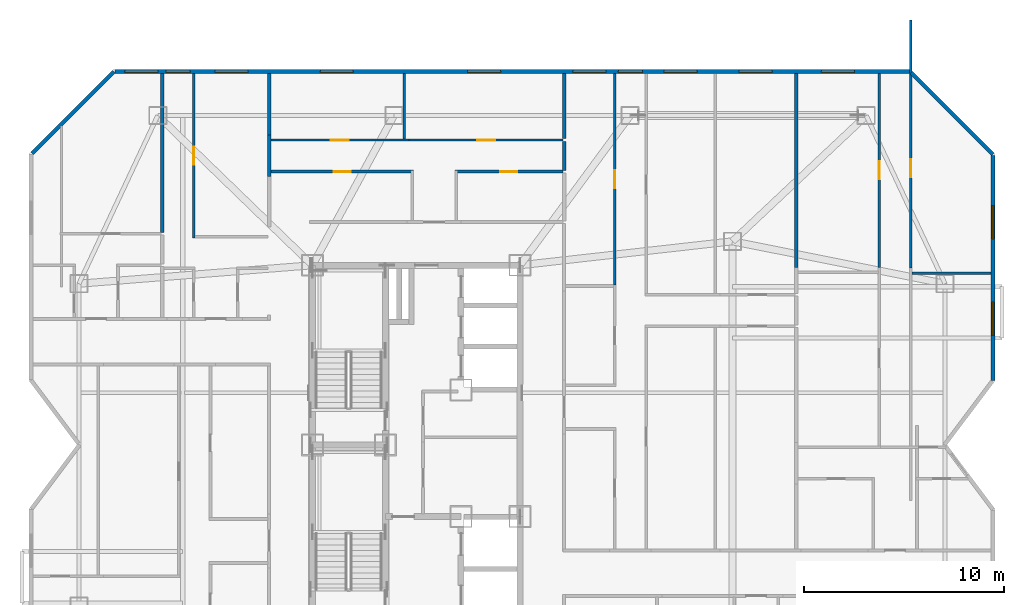
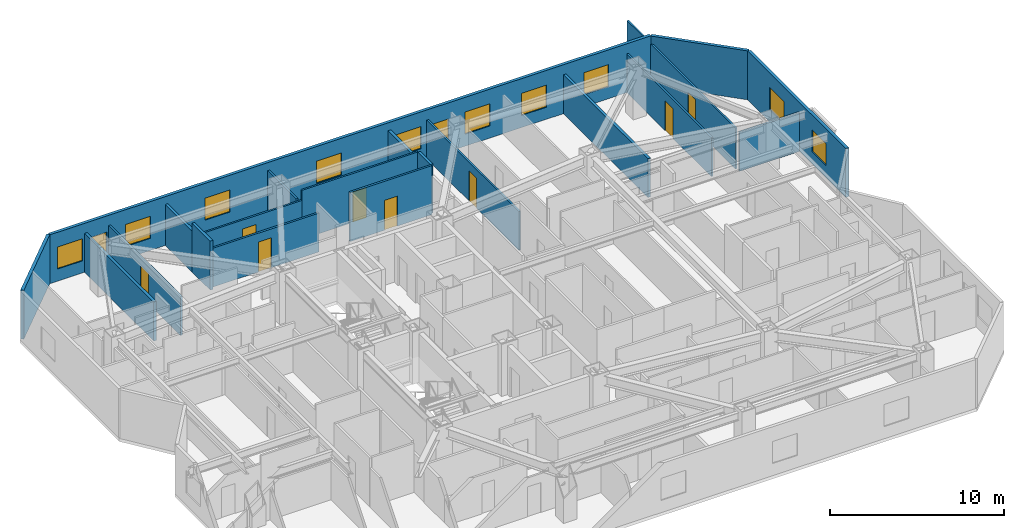
# One storey, part 10 of 12: 20 walls, 12 windows, 8 doors, 20 openings.
"""IFC4 building model written with IfcOpenShell, lengths in metres."""

from ifc_helpers import new_model, si_unit, direction, frame, frame_2d, origin, place, context, subcontext, project, spatial, rectangle, extrude, material, layer, layer_set, type_object, element, fill, save


model = new_model("IFC4")

# Units and contexts
model_context = context("Model", 3, precision=1e-05, world=origin(), true_north=direction((0.0, 1.0)))
body_context = subcontext(model_context, "Body", "Model", "MODEL_VIEW")
ifc_project = project(units=[si_unit("LENGTHUNIT", "METRE"), si_unit("AREAUNIT", "SQUARE_METRE"), si_unit("VOLUMEUNIT", "CUBIC_METRE"), si_unit("PLANEANGLEUNIT", "RADIAN"), si_unit("MASSUNIT", "GRAM", prefix="KILO")], contexts=[model_context])

# Site, building, storey
site_placement = place(None, origin())
site = spatial("IfcSite", under=ifc_project, at=site_placement, CompositionType="ELEMENT")
building_placement = place(site_placement, origin())
building = spatial("IfcBuilding", under=site, at=building_placement, Name="Khamvora Tower", CompositionType="ELEMENT")
storey_placement = place(building_placement, frame((0.0, 0.0, 177.800048828125)))
storey = spatial("IfcBuildingStorey", under=building, at=storey_placement, Name="L45", CompositionType="ELEMENT", Elevation=177.800048828125)

# Walls
ifc_material_1 = material(Name="Acoustic Double-Stud Fire Wall", Category="gypsum")
ifc_layer_1 = layer(ifc_material_1, 0.179931640625)
ifc_layer_set_1 = layer_set([ifc_layer_1], Name="Acoustic Double-Stud Fire Wall")
wall_type_1 = type_object("IfcWallType", Name="WAL-CORR-180", PredefinedType="STANDARD", material=ifc_layer_set_1)
wall_1_placement = place(storey_placement, frame((21.47509765625, 46.60791015625, 0.0), z_axis=(0.0, 0.0, 1.0), x_axis=(0.0, -1.0, 0.0)))
element("IfcWall", 1, at=wall_1_placement, inside=storey, type_object=wall_type_1, Name="L45 interior partition wall 069", PredefinedType="STANDARD", context=body_context, shape_type="SweptSolid", body=[
    extrude(rectangle(XDim=7.9619140625, YDim=0.179931640625, at=frame_2d((3.98095703125, 0.0))), origin(), (0.0, 0.0, 1.0), 2.724853515625),
])
wall_2_placement = place(storey_placement, frame((26.8349609375, 43.52392578125, 0.0), z_axis=(0.0, 0.0, 1.0), x_axis=(0.0, -1.0, 0.0)))
element("IfcWall", 2, at=wall_2_placement, inside=storey, type_object=wall_type_1, Name="L45 interior partition wall 076", PredefinedType="STANDARD", context=body_context, shape_type="SweptSolid", body=[
    extrude(rectangle(XDim=2.077880859375, YDim=0.179931640625, at=frame_2d((1.0390625, 0.0))), origin(), (0.0, 0.0, 1.0), 3.429931640625),
])
wall_3_placement = place(storey_placement, frame((26.8349609375, 46.60791015625, 0.0), z_axis=(0.0, 0.0, 1.0), x_axis=(0.0, -1.0, 0.0)))
element("IfcWall", 3, at=wall_3_placement, inside=storey, type_object=wall_type_1, Name="L45 interior partition wall 078", PredefinedType="STANDARD", context=body_context, shape_type="SweptSolid", body=[
    extrude(rectangle(XDim=3.083984375, YDim=0.179931640625, at=frame_2d((1.5419921875, 0.0))), origin(), (0.0, 0.0, 1.0), 2.8759765625),
])
wall_4_placement = place(storey_placement, frame((41.614990234375, 43.2099609375, 0.0), z_axis=(0.0, 0.0, 1.0), x_axis=(0.0, -1.0, 0.0)))
element("IfcWall", 4, at=wall_4_placement, inside=storey, type_object=wall_type_1, Name="L45 interior partition wall 096", PredefinedType="STANDARD", context=body_context, shape_type="SweptSolid", body=[
    extrude(rectangle(XDim=1.449951171875, YDim=0.179931640625, at=frame_2d((0.72509765625, 0.0))), origin(), (0.0, 0.0, 1.0), 3.429931640625),
])
wall_5_placement = place(storey_placement, frame((41.614990234375, 46.60791015625, 0.0), z_axis=(0.0, 0.0, 1.0), x_axis=(0.0, -1.0, 0.0)))
element("IfcWall", 5, at=wall_5_placement, inside=storey, type_object=wall_type_1, Name="L45 interior partition wall 099", PredefinedType="STANDARD", context=body_context, shape_type="SweptSolid", body=[
    extrude(rectangle(XDim=3.267822265625, YDim=0.179931640625, at=frame_2d((1.6337890625, 0.0))), origin(), (0.0, 0.0, 1.0), 2.8759765625),
])
wall_6_placement = place(storey_placement, frame((53.240966796875, 46.60791015625, 0.0), z_axis=(0.0, 0.0, 1.0), x_axis=(0.0, -1.0, 0.0)))
element("IfcWall", 6, at=wall_6_placement, inside=storey, type_object=wall_type_1, Name="L45 interior partition wall 132", PredefinedType="STANDARD", context=body_context, shape_type="SweptSolid", body=[
    extrude(rectangle(XDim=9.708984375, YDim=0.179931640625, at=frame_2d((4.8544921875, 0.0))), origin(), (0.0, 0.0, 1.0), 2.724853515625),
])
ifc_material_2 = material(Name="Precast concrete C40/50", Category="concrete")
ifc_layer_2 = layer(ifc_material_2, 0.199951171875)
ifc_layer_set_2 = layer_set([ifc_layer_2], Name="Precast concrete C40/50")
wall_type_2 = type_object("IfcWallType", Name="WAL-EXT-200", PredefinedType="STANDARD", material=ifc_layer_set_2)
wall_7_placement = place(storey_placement, frame((14.945068359375, 42.60400390625, 0.0), z_axis=(0.0, 0.0, 1.0), x_axis=(0.707106781187, 0.707106781187, 0.0)))
element("IfcWall", 7, at=wall_7_placement, inside=storey, type_object=wall_type_2, Name="L45 exterior facade wall 06.1", PredefinedType="STANDARD", context=body_context, shape_type="SweptSolid", body=[
    extrude(rectangle(XDim=5.79248046875, YDim=0.199951171875, at=frame_2d((2.896240234375, 0.0))), origin(), (0.0, 0.0, 1.0), 3.429931640625),
])

# Wall, openings, windows
wall_8_placement = place(storey_placement, frame((19.10205078125, 46.699951171875, 0.0), z_axis=(0.0, 0.0, 1.0), x_axis=(1.0, 0.0, 0.0)))
wall_8 = element("IfcWall", 8, at=wall_8_placement, inside=storey, type_object=wall_type_2, Name="L45 exterior facade wall 07.1", PredefinedType="STANDARD", context=body_context, shape_type="SweptSolid", body=[
    extrude(rectangle(XDim=39.85693359375, YDim=0.199951171875, at=frame_2d((19.928466796875, 0.0))), origin(), (0.0, 0.0, 1.0), 3.429931640625),
])
opening_1_placement = place(wall_8_placement, frame((0.50390625, 0.0, 0.85009765625)))
opening_1 = element("IfcOpeningElement", 9, at=opening_1_placement, cuts=wall_8, Name="Opening WN-06", PredefinedType="OPENING", context=body_context, shape_type="SweptSolid", body=[
    extrude(rectangle(XDim=1.64990234375, YDim=1.550048828125, at=frame_2d((0.824951171875, 0.77490234375))), frame((0.0, 0.10986328125, 0.0), z_axis=(0.0, -1.0, 0.0), x_axis=(1.0, 0.0, 0.0)), (0.0, 0.0, 1.0), 0.219970703125),
])
opening_2_placement = place(wall_8_placement, frame((2.56298828125, 0.0, 0.800048828125)))
opening_2 = element("IfcOpeningElement", 10, at=opening_2_placement, cuts=wall_8, Name="Opening WN-03", PredefinedType="OPENING", context=body_context, shape_type="SweptSolid", body=[
    extrude(rectangle(XDim=1.199951171875, YDim=1.5, at=frame_2d((0.60009765625, 0.75))), frame((0.0, 0.10986328125, 0.0), z_axis=(0.0, -1.0, 0.0), x_axis=(1.0, 0.0, 0.0)), (0.0, 0.0, 1.0), 0.219970703125),
])
opening_3_placement = place(wall_8_placement, frame((5.01806640625, 0.0, 0.85009765625)))
opening_3 = element("IfcOpeningElement", 11, at=opening_3_placement, cuts=wall_8, Name="Opening WN-06", PredefinedType="OPENING", context=body_context, shape_type="SweptSolid", body=[
    extrude(rectangle(XDim=1.64990234375, YDim=1.550048828125, at=frame_2d((0.824951171875, 0.77490234375))), frame((0.0, 0.10986328125, 0.0), z_axis=(0.0, -1.0, 0.0), x_axis=(1.0, 0.0, 0.0)), (0.0, 0.0, 1.0), 0.219970703125),
])
opening_4_placement = place(wall_8_placement, frame((10.2900390625, 0.0, 0.85009765625)))
opening_4 = element("IfcOpeningElement", 12, at=opening_4_placement, cuts=wall_8, Name="Opening WN-06", PredefinedType="OPENING", context=body_context, shape_type="SweptSolid", body=[
    extrude(rectangle(XDim=1.64990234375, YDim=1.550048828125, at=frame_2d((0.824951171875, 0.77490234375))), frame((0.0, 0.10986328125, 0.0), z_axis=(0.0, -1.0, 0.0), x_axis=(1.0, 0.0, 0.0)), (0.0, 0.0, 1.0), 0.219970703125),
])
opening_5_placement = place(wall_8_placement, frame((17.679931640625, 0.0, 0.85009765625)))
opening_5 = element("IfcOpeningElement", 13, at=opening_5_placement, cuts=wall_8, Name="Opening WN-06", PredefinedType="OPENING", context=body_context, shape_type="SweptSolid", body=[
    extrude(rectangle(XDim=1.64990234375, YDim=1.550048828125, at=frame_2d((0.824951171875, 0.77490234375))), frame((0.0, 0.10986328125, 0.0), z_axis=(0.0, -1.0, 0.0), x_axis=(1.0, 0.0, 0.0)), (0.0, 0.0, 1.0), 0.219970703125),
])
opening_6_placement = place(wall_8_placement, frame((22.952880859375, 0.0, 0.85009765625)))
opening_6 = element("IfcOpeningElement", 14, at=opening_6_placement, cuts=wall_8, Name="Opening WN-06", PredefinedType="OPENING", context=body_context, shape_type="SweptSolid", body=[
    extrude(rectangle(XDim=1.64990234375, YDim=1.550048828125, at=frame_2d((0.824951171875, 0.77490234375))), frame((0.0, 0.10986328125, 0.0), z_axis=(0.0, -1.0, 0.0), x_axis=(1.0, 0.0, 0.0)), (0.0, 0.0, 1.0), 0.219970703125),
])
opening_7_placement = place(wall_8_placement, frame((25.23291015625, 0.0, 0.800048828125)))
opening_7 = element("IfcOpeningElement", 15, at=opening_7_placement, cuts=wall_8, Name="Opening WN-03", PredefinedType="OPENING", context=body_context, shape_type="SweptSolid", body=[
    extrude(rectangle(XDim=1.199951171875, YDim=1.5, at=frame_2d((0.60009765625, 0.75))), frame((0.0, 0.10986328125, 0.0), z_axis=(0.0, -1.0, 0.0), x_axis=(1.0, 0.0, 0.0)), (0.0, 0.0, 1.0), 0.219970703125),
])
opening_8_placement = place(wall_8_placement, frame((27.52392578125, 0.0, 0.85009765625)))
opening_8 = element("IfcOpeningElement", 16, at=opening_8_placement, cuts=wall_8, Name="Opening WN-06", PredefinedType="OPENING", context=body_context, shape_type="SweptSolid", body=[
    extrude(rectangle(XDim=1.64990234375, YDim=1.550048828125, at=frame_2d((0.824951171875, 0.77490234375))), frame((0.0, 0.10986328125, 0.0), z_axis=(0.0, -1.0, 0.0), x_axis=(1.0, 0.0, 0.0)), (0.0, 0.0, 1.0), 0.219970703125),
])
opening_9_placement = place(wall_8_placement, frame((31.282958984375, 0.0, 0.85009765625)))
opening_9 = element("IfcOpeningElement", 17, at=opening_9_placement, cuts=wall_8, Name="Opening WN-06", PredefinedType="OPENING", context=body_context, shape_type="SweptSolid", body=[
    extrude(rectangle(XDim=1.64990234375, YDim=1.550048828125, at=frame_2d((0.824951171875, 0.77490234375))), frame((0.0, 0.10986328125, 0.0), z_axis=(0.0, -1.0, 0.0), x_axis=(1.0, 0.0, 0.0)), (0.0, 0.0, 1.0), 0.219970703125),
])
opening_10_placement = place(wall_8_placement, frame((35.39990234375, 0.0, 0.85009765625)))
opening_10 = element("IfcOpeningElement", 18, at=opening_10_placement, cuts=wall_8, Name="Opening WN-06", PredefinedType="OPENING", context=body_context, shape_type="SweptSolid", body=[
    extrude(rectangle(XDim=1.64990234375, YDim=1.550048828125, at=frame_2d((0.824951171875, 0.77490234375))), frame((0.0, 0.10986328125, 0.0), z_axis=(0.0, -1.0, 0.0), x_axis=(1.0, 0.0, 0.0)), (0.0, 0.0, 1.0), 0.219970703125),
])
ifc_material_3 = material(Name="Low-E Laminated Double Glazing", Category="glass")
window_type_1 = type_object("IfcWindowType", Name="WIN-VIS-1200x1500", PartitioningType="SINGLE_PANEL", PredefinedType="WINDOW", material=ifc_material_3)
window_1_placement = place(opening_2_placement, origin())
window_1 = element("IfcWindow", 19, at=window_1_placement, inside=storey, type_object=window_type_1, Name="L45 vision window 07.1.02", OverallHeight=1.5, OverallWidth=1.199951171875, PartitioningType="SINGLE_PANEL", PredefinedType="WINDOW", context=body_context, shape_type="SweptSolid", body=[
    extrude(rectangle(XDim=1.199951171875, YDim=1.5, at=frame_2d((0.60009765625, 0.75))), frame((0.0, 0.030029296875, 0.0), z_axis=(0.0, -1.0, 0.0), x_axis=(1.0, 0.0, 0.0)), (0.0, 0.0, 1.0), 0.06005859375),
])
fill(opening_2, window_1)
window_2_placement = place(opening_7_placement, origin())
window_2 = element("IfcWindow", 20, at=window_2_placement, inside=storey, type_object=window_type_1, Name="L45 vision window 07.1.07", OverallHeight=1.5, OverallWidth=1.199951171875, PartitioningType="SINGLE_PANEL", PredefinedType="WINDOW", context=body_context, shape_type="SweptSolid", body=[
    extrude(rectangle(XDim=1.199951171875, YDim=1.5, at=frame_2d((0.60009765625, 0.75))), frame((0.0, 0.030029296875, 0.0), z_axis=(0.0, -1.0, 0.0), x_axis=(1.0, 0.0, 0.0)), (0.0, 0.0, 1.0), 0.06005859375),
])
fill(opening_7, window_2)
window_type_2 = type_object("IfcWindowType", Name="WIN-VIS-1650x1550", PartitioningType="SINGLE_PANEL", PredefinedType="WINDOW", material=ifc_material_3)
window_3_placement = place(opening_1_placement, origin())
window_3 = element("IfcWindow", 21, at=window_3_placement, inside=storey, type_object=window_type_2, Name="L45 vision window 07.1.01", OverallHeight=1.550048828125, OverallWidth=1.64990234375, PartitioningType="SINGLE_PANEL", PredefinedType="WINDOW", context=body_context, shape_type="SweptSolid", body=[
    extrude(rectangle(XDim=1.64990234375, YDim=1.550048828125, at=frame_2d((0.824951171875, 0.77490234375))), frame((0.0, 0.030029296875, 0.0), z_axis=(0.0, -1.0, 0.0), x_axis=(1.0, 0.0, 0.0)), (0.0, 0.0, 1.0), 0.06005859375),
])
fill(opening_1, window_3)
window_4_placement = place(opening_3_placement, origin())
window_4 = element("IfcWindow", 22, at=window_4_placement, inside=storey, type_object=window_type_2, Name="L45 vision window 07.1.03", OverallHeight=1.550048828125, OverallWidth=1.64990234375, PartitioningType="SINGLE_PANEL", PredefinedType="WINDOW", context=body_context, shape_type="SweptSolid", body=[
    extrude(rectangle(XDim=1.64990234375, YDim=1.550048828125, at=frame_2d((0.824951171875, 0.77490234375))), frame((0.0, 0.030029296875, 0.0), z_axis=(0.0, -1.0, 0.0), x_axis=(1.0, 0.0, 0.0)), (0.0, 0.0, 1.0), 0.06005859375),
])
fill(opening_3, window_4)
window_5_placement = place(opening_4_placement, origin())
window_5 = element("IfcWindow", 23, at=window_5_placement, inside=storey, type_object=window_type_2, Name="L45 vision window 07.1.04", OverallHeight=1.550048828125, OverallWidth=1.64990234375, PartitioningType="SINGLE_PANEL", PredefinedType="WINDOW", context=body_context, shape_type="SweptSolid", body=[
    extrude(rectangle(XDim=1.64990234375, YDim=1.550048828125, at=frame_2d((0.824951171875, 0.77490234375))), frame((0.0, 0.030029296875, 0.0), z_axis=(0.0, -1.0, 0.0), x_axis=(1.0, 0.0, 0.0)), (0.0, 0.0, 1.0), 0.06005859375),
])
fill(opening_4, window_5)
window_6_placement = place(opening_5_placement, origin())
window_6 = element("IfcWindow", 24, at=window_6_placement, inside=storey, type_object=window_type_2, Name="L45 vision window 07.1.05", OverallHeight=1.550048828125, OverallWidth=1.64990234375, PartitioningType="SINGLE_PANEL", PredefinedType="WINDOW", context=body_context, shape_type="SweptSolid", body=[
    extrude(rectangle(XDim=1.64990234375, YDim=1.550048828125, at=frame_2d((0.824951171875, 0.77490234375))), frame((0.0, 0.030029296875, 0.0), z_axis=(0.0, -1.0, 0.0), x_axis=(1.0, 0.0, 0.0)), (0.0, 0.0, 1.0), 0.06005859375),
])
fill(opening_5, window_6)
window_7_placement = place(opening_6_placement, origin())
window_7 = element("IfcWindow", 25, at=window_7_placement, inside=storey, type_object=window_type_2, Name="L45 vision window 07.1.06", OverallHeight=1.550048828125, OverallWidth=1.64990234375, PartitioningType="SINGLE_PANEL", PredefinedType="WINDOW", context=body_context, shape_type="SweptSolid", body=[
    extrude(rectangle(XDim=1.64990234375, YDim=1.550048828125, at=frame_2d((0.824951171875, 0.77490234375))), frame((0.0, 0.030029296875, 0.0), z_axis=(0.0, -1.0, 0.0), x_axis=(1.0, 0.0, 0.0)), (0.0, 0.0, 1.0), 0.06005859375),
])
fill(opening_6, window_7)
window_8_placement = place(opening_8_placement, origin())
window_8 = element("IfcWindow", 26, at=window_8_placement, inside=storey, type_object=window_type_2, Name="L45 vision window 07.1.08", OverallHeight=1.550048828125, OverallWidth=1.64990234375, PartitioningType="SINGLE_PANEL", PredefinedType="WINDOW", context=body_context, shape_type="SweptSolid", body=[
    extrude(rectangle(XDim=1.64990234375, YDim=1.550048828125, at=frame_2d((0.824951171875, 0.77490234375))), frame((0.0, 0.030029296875, 0.0), z_axis=(0.0, -1.0, 0.0), x_axis=(1.0, 0.0, 0.0)), (0.0, 0.0, 1.0), 0.06005859375),
])
fill(opening_8, window_8)
window_9_placement = place(opening_9_placement, origin())
window_9 = element("IfcWindow", 27, at=window_9_placement, inside=storey, type_object=window_type_2, Name="L45 vision window 07.1.09", OverallHeight=1.550048828125, OverallWidth=1.64990234375, PartitioningType="SINGLE_PANEL", PredefinedType="WINDOW", context=body_context, shape_type="SweptSolid", body=[
    extrude(rectangle(XDim=1.64990234375, YDim=1.550048828125, at=frame_2d((0.824951171875, 0.77490234375))), frame((0.0, 0.030029296875, 0.0), z_axis=(0.0, -1.0, 0.0), x_axis=(1.0, 0.0, 0.0)), (0.0, 0.0, 1.0), 0.06005859375),
])
fill(opening_9, window_9)
window_10_placement = place(opening_10_placement, origin())
window_10 = element("IfcWindow", 28, at=window_10_placement, inside=storey, type_object=window_type_2, Name="L45 vision window 07.1.10", OverallHeight=1.550048828125, OverallWidth=1.64990234375, PartitioningType="SINGLE_PANEL", PredefinedType="WINDOW", context=body_context, shape_type="SweptSolid", body=[
    extrude(rectangle(XDim=1.64990234375, YDim=1.550048828125, at=frame_2d((0.824951171875, 0.77490234375))), frame((0.0, 0.030029296875, 0.0), z_axis=(0.0, -1.0, 0.0), x_axis=(1.0, 0.0, 0.0)), (0.0, 0.0, 1.0), 0.06005859375),
])
fill(opening_10, window_10)

# Wall
wall_9_placement = place(storey_placement, frame((59.0029296875, 46.656005859375, 0.0), z_axis=(0.0, 0.0, 1.0), x_axis=(0.707127848917, -0.707085712828, 0.0)))
element("IfcWall", 29, at=wall_9_placement, inside=storey, type_object=wall_type_2, Name="L45 exterior facade wall 08.1", PredefinedType="STANDARD", context=body_context, shape_type="SweptSolid", body=[
    extrude(rectangle(XDim=5.794189453125, YDim=0.199951171875, at=frame_2d((2.89697265625, 0.0))), origin(), (0.0, 0.0, 1.0), 3.429931640625),
])

# Wall, openings, windows
wall_10_placement = place(storey_placement, frame((63.10009765625, 42.49609375, 0.0), z_axis=(0.0, 0.0, 1.0), x_axis=(0.0, -1.0, 0.0)))
wall_10 = element("IfcWall", 30, at=wall_10_placement, inside=storey, type_object=wall_type_2, Name="L45 exterior facade wall 09.1", PredefinedType="STANDARD", context=body_context, shape_type="SweptSolid", body=[
    extrude(rectangle(XDim=11.26318359375, YDim=0.199951171875, at=frame_2d((5.631591796875, 0.0))), origin(), (0.0, 0.0, 1.0), 3.429931640625),
])
opening_11_placement = place(wall_10_placement, frame((7.35888671875, 0.0, 0.85009765625)))
opening_11 = element("IfcOpeningElement", 31, at=opening_11_placement, cuts=wall_10, Name="Opening WN-06", PredefinedType="OPENING", context=body_context, shape_type="SweptSolid", body=[
    extrude(rectangle(XDim=1.64990234375, YDim=1.550048828125, at=frame_2d((0.824951171875, 0.77490234375))), frame((0.0, 0.10986328125, 0.0), z_axis=(0.0, -1.0, 0.0), x_axis=(1.0, 0.0, 0.0)), (0.0, 0.0, 1.0), 0.219970703125),
])
opening_12_placement = place(wall_10_placement, frame((2.511962890625, 0.0, 0.85009765625)))
opening_12 = element("IfcOpeningElement", 32, at=opening_12_placement, cuts=wall_10, Name="Opening WN-06", PredefinedType="OPENING", context=body_context, shape_type="SweptSolid", body=[
    extrude(rectangle(XDim=1.64990234375, YDim=1.550048828125, at=frame_2d((0.824951171875, 0.77490234375))), frame((0.0, 0.10986328125, 0.0), z_axis=(0.0, -1.0, 0.0), x_axis=(1.0, 0.0, 0.0)), (0.0, 0.0, 1.0), 0.219970703125),
])
window_11_placement = place(opening_11_placement, origin())
window_11 = element("IfcWindow", 33, at=window_11_placement, inside=storey, type_object=window_type_2, Name="L45 vision window 09.1.01", OverallHeight=1.550048828125, OverallWidth=1.64990234375, PartitioningType="SINGLE_PANEL", PredefinedType="WINDOW", context=body_context, shape_type="SweptSolid", body=[
    extrude(rectangle(XDim=1.64990234375, YDim=1.550048828125, at=frame_2d((0.824951171875, 0.77490234375))), frame((0.0, 0.030029296875, 0.0), z_axis=(0.0, -1.0, 0.0), x_axis=(1.0, 0.0, 0.0)), (0.0, 0.0, 1.0), 0.06005859375),
])
fill(opening_11, window_11)
window_12_placement = place(opening_12_placement, origin())
window_12 = element("IfcWindow", 34, at=window_12_placement, inside=storey, type_object=window_type_2, Name="L45 vision window 09.1.02", OverallHeight=1.550048828125, OverallWidth=1.64990234375, PartitioningType="SINGLE_PANEL", PredefinedType="WINDOW", context=body_context, shape_type="SweptSolid", body=[
    extrude(rectangle(XDim=1.64990234375, YDim=1.550048828125, at=frame_2d((0.824951171875, 0.77490234375))), frame((0.0, 0.030029296875, 0.0), z_axis=(0.0, -1.0, 0.0), x_axis=(1.0, 0.0, 0.0)), (0.0, 0.0, 1.0), 0.06005859375),
])
fill(opening_12, window_12)

# Wall, opening, door
ifc_material_4 = material(Name="Gypsum Plasterboard Partition", Category="gypsum")
ifc_layer_3 = layer(ifc_material_4, 0.1201171875)
ifc_layer_set_3 = layer_set([ifc_layer_3], Name="Gypsum Plasterboard Partition")
wall_type_3 = type_object("IfcWallType", Name="WAL-PART-120", PredefinedType="PARTITIONING", material=ifc_layer_set_3)
wall_11_placement = place(storey_placement, frame((23.054931640625, 46.60791015625, 0.0), z_axis=(0.0, 0.0, 1.0), x_axis=(0.0, -1.0, 0.0)))
wall_11 = element("IfcWall", 35, at=wall_11_placement, inside=storey, type_object=wall_type_3, Name="L45 interior partition wall 074", PredefinedType="PARTITIONING", context=body_context, shape_type="SweptSolid", body=[
    extrude(rectangle(XDim=8.247802734375, YDim=0.1201171875, at=frame_2d((4.1240234375, 0.0))), origin(), (0.0, 0.0, 1.0), 2.724853515625),
])
opening_13_placement = place(wall_11_placement, frame((3.674072265625, 0.0, 0.0)))
opening_13 = element("IfcOpeningElement", 36, at=opening_13_placement, cuts=wall_11, Name="Opening D-RM1", PredefinedType="OPENING", context=body_context, shape_type="SweptSolid", body=[
    extrude(rectangle(XDim=0.89990234375, YDim=2.10009765625, at=frame_2d((0.449951171875, 1.050048828125))), frame((0.0, 0.070068359375, 0.0), z_axis=(0.0, -1.0, 0.0), x_axis=(1.0, 0.0, 0.0)), (0.0, 0.0, 1.0), 0.14013671875),
])
ifc_material_5 = material(Name="Powder-Coated Steel and Hardwood Leaf", Category="steel")
door_type_1 = type_object("IfcDoorType", Name="DOR-ROOM-900", OperationType="NOTDEFINED", PredefinedType="DOOR", material=ifc_material_5)
door_1_placement = place(opening_13_placement, origin())
door_1 = element("IfcDoor", 37, at=door_1_placement, inside=storey, type_object=door_type_1, Name="L45 interior door 45WCH-45WCR1", OperationType="SINGLE_SWING_RIGHT", OverallHeight=2.10009765625, OverallWidth=0.89990234375, PredefinedType="DOOR", context=body_context, shape_type="SweptSolid", body=[
    extrude(rectangle(XDim=0.89990234375, YDim=2.10009765625, at=frame_2d((0.449951171875, 1.050048828125))), frame((0.0, 0.02490234375, 0.0), z_axis=(0.0, -1.0, 0.0), x_axis=(1.0, 0.0, 0.0)), (0.0, 0.0, 1.0), 0.050048828125),
])
fill(opening_13, door_1)

wall_12_placement = place(storey_placement, frame((26.9169921875, 43.27490234375, 0.0), z_axis=(0.0, 0.0, 1.0), x_axis=(1.0, 0.0, 0.0)))
wall_12 = element("IfcWall", 38, at=wall_12_placement, inside=storey, type_object=wall_type_3, Name="L45 interior partition wall 094", PredefinedType="PARTITIONING", context=body_context, shape_type="SweptSolid", body=[
    extrude(rectangle(XDim=6.930908203125, YDim=0.1201171875, at=frame_2d((3.46533203125, 0.0))), origin(), (0.0, 0.0, 1.0), 2.724853515625),
])
opening_14_placement = place(wall_12_placement, frame((2.993896484375, 0.0, 0.0)))
opening_14 = element("IfcOpeningElement", 39, at=opening_14_placement, cuts=wall_12, Name="Opening D-RM1", PredefinedType="OPENING", context=body_context, shape_type="SweptSolid", body=[
    extrude(rectangle(XDim=0.89990234375, YDim=2.10009765625, at=frame_2d((0.449951171875, 1.050048828125))), frame((0.0, 0.070068359375, 0.0), z_axis=(0.0, -1.0, 0.0), x_axis=(1.0, 0.0, 0.0)), (0.0, 0.0, 1.0), 0.14013671875),
])
door_2_placement = place(opening_14_placement, origin())
door_2 = element("IfcDoor", 40, at=door_2_placement, inside=storey, type_object=door_type_1, Name="L45 interior door 45NAH-45NAL", OperationType="SINGLE_SWING_LEFT", OverallHeight=2.10009765625, OverallWidth=0.89990234375, PredefinedType="DOOR", context=body_context, shape_type="SweptSolid", body=[
    extrude(rectangle(XDim=0.89990234375, YDim=2.10009765625, at=frame_2d((0.449951171875, 1.050048828125))), frame((0.0, 0.02490234375, 0.0), z_axis=(0.0, -1.0, 0.0), x_axis=(1.0, 0.0, 0.0)), (0.0, 0.0, 1.0), 0.050048828125),
])
fill(opening_14, door_2)

wall_13_placement = place(storey_placement, frame((33.847900390625, 43.27490234375, 0.0), z_axis=(0.0, 0.0, 1.0), x_axis=(1.0, 0.0, 0.0)))
wall_13 = element("IfcWall", 41, at=wall_13_placement, inside=storey, type_object=wall_type_3, Name="L45 interior partition wall 095", PredefinedType="PARTITIONING", context=body_context, shape_type="SweptSolid", body=[
    extrude(rectangle(XDim=7.7021484375, YDim=0.1201171875, at=frame_2d((3.85107421875, 0.0))), origin(), (0.0, 0.0, 1.0), 3.429931640625),
])
opening_15_placement = place(wall_13_placement, frame((3.40087890625, 0.0, 0.0)))
opening_15 = element("IfcOpeningElement", 42, at=opening_15_placement, cuts=wall_13, Name="Opening D-RM1", PredefinedType="OPENING", context=body_context, shape_type="SweptSolid", body=[
    extrude(rectangle(XDim=0.89990234375, YDim=2.10009765625, at=frame_2d((0.449951171875, 1.050048828125))), frame((0.0, 0.070068359375, 0.0), z_axis=(0.0, -1.0, 0.0), x_axis=(1.0, 0.0, 0.0)), (0.0, 0.0, 1.0), 0.14013671875),
])
door_3_placement = place(opening_15_placement, origin())
door_3 = element("IfcDoor", 43, at=door_3_placement, inside=storey, type_object=door_type_1, Name="L45 interior door 45NAH-45NAR2", OperationType="SINGLE_SWING_RIGHT", OverallHeight=2.10009765625, OverallWidth=0.89990234375, PredefinedType="DOOR", context=body_context, shape_type="SweptSolid", body=[
    extrude(rectangle(XDim=0.89990234375, YDim=2.10009765625, at=frame_2d((0.449951171875, 1.050048828125))), frame((0.0, 0.02490234375, 0.0), z_axis=(0.0, -1.0, 0.0), x_axis=(1.0, 0.0, 0.0)), (0.0, 0.0, 1.0), 0.050048828125),
])
fill(opening_15, door_3)

# Wall
wall_14_placement = place(storey_placement, frame((33.59912109375, 46.60791015625, 0.0), z_axis=(0.0, 0.0, 1.0), x_axis=(0.0, -1.0, 0.0)))
element("IfcWall", 44, at=wall_14_placement, inside=storey, type_object=wall_type_3, Name="L45 interior partition wall 098", PredefinedType="PARTITIONING", context=body_context, shape_type="SweptSolid", body=[
    extrude(rectangle(XDim=3.27880859375, YDim=0.1201171875, at=frame_2d((1.639404296875, 0.0))), origin(), (0.0, 0.0, 1.0), 2.8759765625),
])

# Wall, opening, door
wall_15_placement = place(storey_placement, frame((44.14501953125, 46.60791015625, 0.0), z_axis=(0.0, 0.0, 1.0), x_axis=(0.0, -1.0, 0.0)))
wall_15 = element("IfcWall", 45, at=wall_15_placement, inside=storey, type_object=wall_type_3, Name="L45 interior partition wall 113", PredefinedType="PARTITIONING", context=body_context, shape_type="SweptSolid", body=[
    extrude(rectangle(XDim=10.5869140625, YDim=0.1201171875, at=frame_2d((5.29345703125, 0.0))), origin(), (0.0, 0.0, 1.0), 2.724853515625),
])
opening_16_placement = place(wall_15_placement, frame((4.843017578125, 0.0, 0.0)))
opening_16 = element("IfcOpeningElement", 46, at=opening_16_placement, cuts=wall_15, Name="Opening D-RM1", PredefinedType="OPENING", context=body_context, shape_type="SweptSolid", body=[
    extrude(rectangle(XDim=0.89990234375, YDim=2.10009765625, at=frame_2d((0.449951171875, 1.050048828125))), frame((0.0, 0.070068359375, 0.0), z_axis=(0.0, -1.0, 0.0), x_axis=(1.0, 0.0, 0.0)), (0.0, 0.0, 1.0), 0.14013671875),
])
door_4_placement = place(opening_16_placement, origin())
door_4 = element("IfcDoor", 47, at=door_4_placement, inside=storey, type_object=door_type_1, Name="L45 interior door 45EB1W2-45EB1H", OperationType="SINGLE_SWING_LEFT", OverallHeight=2.10009765625, OverallWidth=0.89990234375, PredefinedType="DOOR", context=body_context, shape_type="SweptSolid", body=[
    extrude(rectangle(XDim=0.89990234375, YDim=2.10009765625, at=frame_2d((0.449951171875, 1.050048828125))), frame((0.0, 0.02490234375, 0.0), z_axis=(0.0, -1.0, 0.0), x_axis=(1.0, 0.0, 0.0)), (0.0, 0.0, 1.0), 0.050048828125),
])
fill(opening_16, door_4)

wall_16_placement = place(storey_placement, frame((57.4130859375, 36.89892578125, 0.0), z_axis=(0.0, 0.0, 1.0), x_axis=(0.0, 1.0, 0.0)))
wall_16 = element("IfcWall", 48, at=wall_16_placement, inside=storey, type_object=wall_type_3, Name="L45 interior partition wall 139", PredefinedType="PARTITIONING", context=body_context, shape_type="SweptSolid", body=[
    extrude(rectangle(XDim=9.708984375, YDim=0.1201171875, at=frame_2d((4.8544921875, 0.0))), origin(), (0.0, 0.0, 1.0), 2.724853515625),
])
opening_17_placement = place(wall_16_placement, frame((4.404052734375, 0.0, 0.0)))
opening_17 = element("IfcOpeningElement", 49, at=opening_17_placement, cuts=wall_16, Name="Opening D-RM1", PredefinedType="OPENING", context=body_context, shape_type="SweptSolid", body=[
    extrude(rectangle(XDim=0.89990234375, YDim=2.10009765625, at=frame_2d((0.449951171875, 1.050048828125))), frame((0.0, 0.070068359375, 0.0), z_axis=(0.0, -1.0, 0.0), x_axis=(1.0, 0.0, 0.0)), (0.0, 0.0, 1.0), 0.14013671875),
])
door_5_placement = place(opening_17_placement, origin())
door_5 = element("IfcDoor", 50, at=door_5_placement, inside=storey, type_object=door_type_1, Name="L45 interior door 45EB2H-45EB2R2", OperationType="SINGLE_SWING_LEFT", OverallHeight=2.10009765625, OverallWidth=0.89990234375, PredefinedType="DOOR", context=body_context, shape_type="SweptSolid", body=[
    extrude(rectangle(XDim=0.89990234375, YDim=2.10009765625, at=frame_2d((0.449951171875, 1.050048828125))), frame((0.0, 0.02490234375, 0.0), z_axis=(0.0, -1.0, 0.0), x_axis=(1.0, 0.0, 0.0)), (0.0, 0.0, 1.0), 0.050048828125),
])
fill(opening_17, door_5)

wall_17_placement = place(storey_placement, frame((58.98291015625, 49.2900390625, 0.0), z_axis=(0.0, 0.0, 1.0), x_axis=(0.0, -1.0, 0.0)))
wall_17 = element("IfcWall", 51, at=wall_17_placement, inside=storey, type_object=wall_type_3, Name="L45 interior partition wall 142", PredefinedType="PARTITIONING", context=body_context, shape_type="SweptSolid", body=[
    extrude(rectangle(XDim=12.43505859375, YDim=0.1201171875, at=frame_2d((6.217529296875, 0.0))), origin(), (0.0, 0.0, 1.0), 2.8759765625),
])
opening_18_placement = place(wall_17_placement, frame((6.97900390625, 0.0, 0.0)))
opening_18 = element("IfcOpeningElement", 52, at=opening_18_placement, cuts=wall_17, Name="Opening D-RM1", PredefinedType="OPENING", context=body_context, shape_type="SweptSolid", body=[
    extrude(rectangle(XDim=0.89990234375, YDim=2.10009765625, at=frame_2d((0.449951171875, 1.050048828125))), frame((0.0, 0.070068359375, 0.0), z_axis=(0.0, -1.0, 0.0), x_axis=(1.0, 0.0, 0.0)), (0.0, 0.0, 1.0), 0.14013671875),
])
door_6_placement = place(opening_18_placement, origin())
door_6 = element("IfcDoor", 53, at=door_6_placement, inside=storey, type_object=door_type_1, Name="L45 interior door 45EB2H-45EB2R4", OperationType="SINGLE_SWING_LEFT", OverallHeight=2.10009765625, OverallWidth=0.89990234375, PredefinedType="DOOR", context=body_context, shape_type="SweptSolid", body=[
    extrude(rectangle(XDim=0.89990234375, YDim=2.10009765625, at=frame_2d((0.449951171875, 1.050048828125))), frame((0.0, 0.02490234375, 0.0), z_axis=(0.0, -1.0, 0.0), x_axis=(1.0, 0.0, 0.0)), (0.0, 0.0, 1.0), 0.050048828125),
])
fill(opening_18, door_6)

# Wall
wall_18_placement = place(storey_placement, frame((59.037109375, 36.60595703125, 0.0), z_axis=(0.0, 0.0, 1.0), x_axis=(1.0, 0.0, 0.0)))
element("IfcWall", 54, at=wall_18_placement, inside=storey, type_object=wall_type_3, Name="L45 interior partition wall 144", PredefinedType="PARTITIONING", context=body_context, shape_type="SweptSolid", body=[
    extrude(rectangle(XDim=3.970947265625, YDim=0.1201171875, at=frame_2d((1.9853515625, 0.0))), origin(), (0.0, 0.0, 1.0), 2.724853515625),
])

# Wall, opening, door
ifc_material_6 = material(Name="Moisture-Resistant Plasterboard Partition", Category="gypsum")
ifc_layer_4 = layer(ifc_material_6, 0.135009765625)
ifc_layer_set_4 = layer_set([ifc_layer_4], Name="Moisture-Resistant Plasterboard Partition")
wall_type_4 = type_object("IfcWallType", Name="WAL-WET-135", PredefinedType="PARTITIONING", material=ifc_layer_set_4)
wall_19_placement = place(storey_placement, frame((41.550048828125, 41.695068359375, 0.0), z_axis=(0.0, 0.0, 1.0), x_axis=(-1.0, 0.0, 0.0)))
wall_19 = element("IfcWall", 55, at=wall_19_placement, inside=storey, type_object=wall_type_4, Name="L45 interior partition wall 090", PredefinedType="PARTITIONING", context=body_context, shape_type="SweptSolid", body=[
    extrude(rectangle(XDim=5.416015625, YDim=0.135009765625, at=frame_2d((2.7080078125, 0.0))), origin(), (0.0, 0.0, 1.0), 3.429931640625),
])
opening_19_placement = place(wall_19_placement, frame((2.282958984375, 0.0, 0.0)))
opening_19 = element("IfcOpeningElement", 56, at=opening_19_placement, cuts=wall_19, Name="Opening D-WC1", PredefinedType="OPENING", context=body_context, shape_type="SweptSolid", body=[
    extrude(rectangle(XDim=0.85009765625, YDim=2.10009765625, at=frame_2d((0.425048828125, 1.050048828125))), frame((0.0, 0.077392578125, 0.0), z_axis=(0.0, -1.0, 0.0), x_axis=(1.0, 0.0, 0.0)), (0.0, 0.0, 1.0), 0.155029296875),
])
door_type_2 = type_object("IfcDoorType", Name="DOR-WET-850", OperationType="NOTDEFINED", PredefinedType="DOOR", material=ifc_material_5)
door_7_placement = place(opening_19_placement, origin())
door_7 = element("IfcDoor", 57, at=door_7_placement, inside=storey, type_object=door_type_2, Name="L45 interior door 45NAH-45NAB", OperationType="SINGLE_SWING_LEFT", OverallHeight=2.10009765625, OverallWidth=0.85009765625, PredefinedType="DOOR", context=body_context, shape_type="SweptSolid", body=[
    extrude(rectangle(XDim=0.85009765625, YDim=2.10009765625, at=frame_2d((0.425048828125, 1.050048828125))), frame((0.0, 0.02490234375, 0.0), z_axis=(0.0, -1.0, 0.0), x_axis=(1.0, 0.0, 0.0)), (0.0, 0.0, 1.0), 0.050048828125),
])
fill(opening_19, door_7)

wall_20_placement = place(storey_placement, frame((34.06396484375, 41.695068359375, 0.0), z_axis=(0.0, 0.0, 1.0), x_axis=(-1.0, 0.0, 0.0)))
wall_20 = element("IfcWall", 58, at=wall_20_placement, inside=storey, type_object=wall_type_4, Name="L45 interior partition wall 093", PredefinedType="PARTITIONING", context=body_context, shape_type="SweptSolid", body=[
    extrude(rectangle(XDim=7.14697265625, YDim=0.135009765625, at=frame_2d((3.573486328125, 0.0))), origin(), (0.0, 0.0, 1.0), 2.724853515625),
])
opening_20_placement = place(wall_20_placement, frame((3.14892578125, 0.0, 0.0)))
opening_20 = element("IfcOpeningElement", 59, at=opening_20_placement, cuts=wall_20, Name="Opening D-RM2", PredefinedType="OPENING", context=body_context, shape_type="SweptSolid", body=[
    extrude(rectangle(XDim=0.85009765625, YDim=2.10009765625, at=frame_2d((0.425048828125, 1.050048828125))), frame((0.0, 0.077392578125, 0.0), z_axis=(0.0, -1.0, 0.0), x_axis=(1.0, 0.0, 0.0)), (0.0, 0.0, 1.0), 0.155029296875),
])
door_type_3 = type_object("IfcDoorType", Name="DOR-ROOM-850", OperationType="NOTDEFINED", PredefinedType="DOOR", material=ifc_material_5)
door_8_placement = place(opening_20_placement, origin())
door_8 = element("IfcDoor", 60, at=door_8_placement, inside=storey, type_object=door_type_3, Name="L45 interior door 45NAH-45NAK", OperationType="SINGLE_SWING_RIGHT", OverallHeight=2.10009765625, OverallWidth=0.85009765625, PredefinedType="DOOR", context=body_context, shape_type="SweptSolid", body=[
    extrude(rectangle(XDim=0.85009765625, YDim=2.10009765625, at=frame_2d((0.425048828125, 1.050048828125))), frame((0.0, 0.02490234375, 0.0), z_axis=(0.0, -1.0, 0.0), x_axis=(1.0, 0.0, 0.0)), (0.0, 0.0, 1.0), 0.050048828125),
])
fill(opening_20, door_8)

save(model, "model.ifc")
